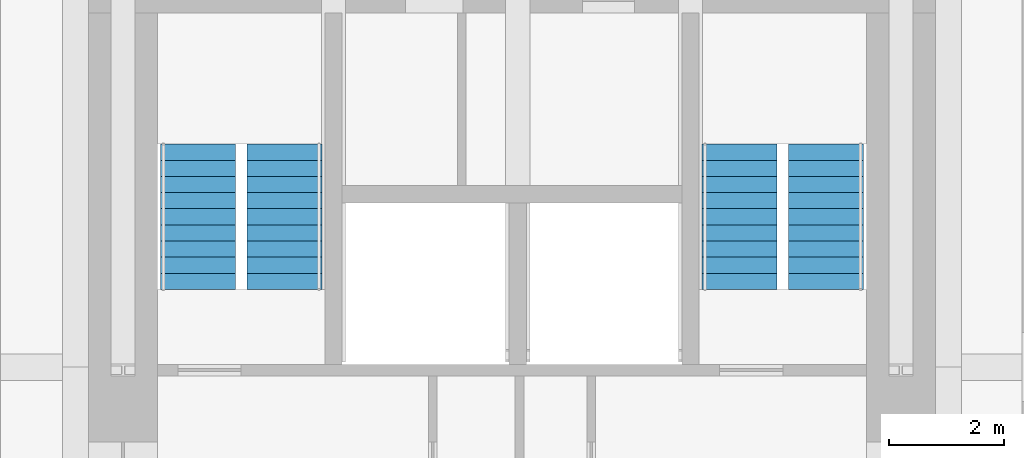
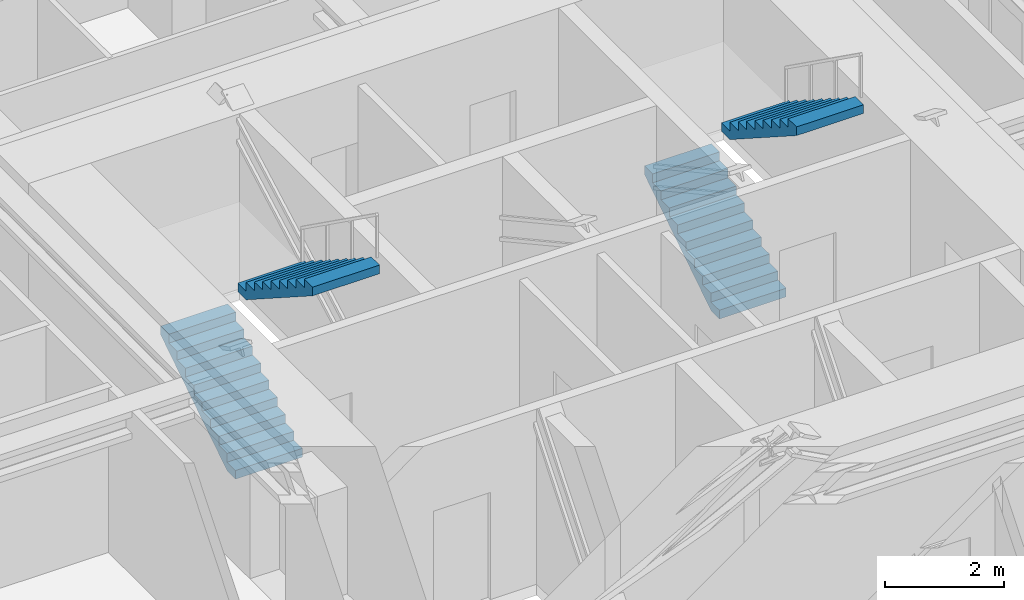
# One storey, part 11 of 12: 4 stair flights, 2 elements without a shape of their own.
"""IFC4 building model written with IfcOpenShell, lengths in metres."""

import ifcopenshell
import ifcopenshell.guid

model = None  # the IFC model being written
_history = None  # IfcOwnerHistory: only IFC2X3 demands one
_inside = {}  # id of a spatial element -> (the spatial element, [elements in it])
_under = {}  # id of a project, library or spatial element -> (it, [spatial elements below it])
_declared = {}  # id of a project -> (the project, [libraries it declares])
_typed = {}  # id of a type object -> (the type object, [elements of that type])
_made_of = {}  # id of a material, layer set ... -> (it, [elements and type objects made of it])


def new_model(schema):
    """Start an empty IFC model of exactly this schema.

    Asked for "IFC4X3", IfcOpenShell would pick the latest addendum, in which some entities
    have other attributes; the version numbers below select the first issue.
    IFC2X3 requires an IfcOwnerHistory on every rooted entity: one is made here for all.
    """
    global model, _history
    if schema == "IFC4X3":
        model = ifcopenshell.file(schema_version=(4, 3, 0, 0))
    else:
        model = ifcopenshell.file(schema=schema)
    _inside.clear()
    _under.clear()
    _declared.clear()
    _typed.clear()
    _made_of.clear()
    _history = None
    if model.schema == "IFC2X3":
        org = make("IfcOrganization", Name="unknown")
        user = make(
            "IfcPersonAndOrganization",
            ThePerson=make("IfcPerson", FamilyName="unknown"),
            TheOrganization=org,
        )
        app = make(
            "IfcApplication",
            ApplicationDeveloper=org,
            Version="unknown",
            ApplicationFullName="unknown",
            ApplicationIdentifier="unknown",
        )
        _history = make(
            "IfcOwnerHistory",
            OwningUser=user,
            OwningApplication=app,
            ChangeAction="ADDED",
            CreationDate=0,
        )
    return model


def make(cls, **values):
    """One entity of the class cls with the attributes given. An attribute that is None is left unset."""
    return model.create_entity(
        cls, **{name: value for name, value in values.items() if value is not None}
    )


def rooted(cls, **values):
    """An entity with a GlobalId (a new one), such as an element, a storey or a relation."""
    return make(cls, GlobalId=ifcopenshell.guid.new(), OwnerHistory=_history, **values)


def si_unit(unit_type, name, prefix=None):
    """IfcSIUnit, for example si_unit("LENGTHUNIT", "METRE", prefix="MILLI")."""
    return make("IfcSIUnit", UnitType=unit_type, Prefix=prefix, Name=name)


def assignment(units):
    """IfcUnitAssignment: the units of a project."""
    return None if units is None else make("IfcUnitAssignment", Units=units)


def point(xyz):
    """IfcCartesianPoint."""
    return None if xyz is None else make("IfcCartesianPoint", Coordinates=xyz)


def direction(xyz):
    """IfcDirection."""
    return None if xyz is None else make("IfcDirection", DirectionRatios=xyz)


def frame(location, z_axis=None, x_axis=None):
    """IfcAxis2Placement3D, a coordinate frame: its origin and axes. An axis left out is left unset."""
    return make(
        "IfcAxis2Placement3D",
        Location=point(location),
        Axis=direction(z_axis),
        RefDirection=direction(x_axis),
    )


def origin():
    """The frame at (0, 0, 0) with its axes left unset."""
    return frame((0.0, 0.0, 0.0))


def place(relative_to, where):
    """IfcLocalPlacement: puts the frame where relative to a parent placement (None: the world)."""
    return make(
        "IfcLocalPlacement", PlacementRelTo=relative_to, RelativePlacement=where
    )


def context(
    kind, dimensions, precision=None, world=None, true_north=None, identifier=None
):
    """IfcGeometricRepresentationContext, for example the 3D "Model" context."""
    return make(
        "IfcGeometricRepresentationContext",
        ContextIdentifier=identifier,
        ContextType=kind,
        CoordinateSpaceDimension=dimensions,
        Precision=precision,
        WorldCoordinateSystem=world,
        TrueNorth=true_north,
    )


def subcontext(parent, identifier, kind, view, scale=None):
    """IfcGeometricRepresentationSubContext, for example "Body" below "Model"."""
    return make(
        "IfcGeometricRepresentationSubContext",
        ContextIdentifier=identifier,
        ContextType=kind,
        ParentContext=parent,
        TargetScale=scale,
        TargetView=view,
    )


def project(units=None, contexts=None):
    """IfcProject with its units and contexts."""
    return rooted(
        "IfcProject",
        Name="project",
        RepresentationContexts=contexts,
        UnitsInContext=assignment(units),
    )


def spatial(cls, under=None, at=None, **own):
    """A site, building, storey or space (cls), placed at a placement, below another one or the project."""
    s = rooted(cls, ObjectPlacement=at, **own)
    if under is not None:
        _under.setdefault(under.id(), (under, []))[1].append(s)
    return s


def polyline(points):
    """IfcPolyline through the points."""
    return make("IfcPolyline", Points=[point(p) for p in points])


def outline(outer, holes=None, kind="AREA"):
    """IfcArbitraryClosedProfileDef: a profile drawn as a closed curve; with holes, ...WithVoids."""
    if holes is None:
        return make("IfcArbitraryClosedProfileDef", ProfileType=kind, OuterCurve=outer)
    return make(
        "IfcArbitraryProfileDefWithVoids",
        ProfileType=kind,
        OuterCurve=outer,
        InnerCurves=holes,
    )


def extrude(swept, where, along, depth):
    """IfcExtrudedAreaSolid: the profile swept, set in the frame where, extruded along a direction by depth."""
    return make(
        "IfcExtrudedAreaSolid",
        SweptArea=swept,
        Position=where,
        ExtrudedDirection=direction(along),
        Depth=depth,
    )


def shape(context_of_items, identifier, shape_type, items):
    """IfcShapeRepresentation: the items that make up one representation, for example the "Body"."""
    return make(
        "IfcShapeRepresentation",
        ContextOfItems=context_of_items,
        RepresentationIdentifier=identifier,
        RepresentationType=shape_type,
        Items=items,
    )


def material(Name=None, Category=None):
    """IfcMaterial."""
    return make("IfcMaterial", Name=Name, Category=Category)


def made_of(thing, what):
    """Note that an element or type object is made of a material, layer set ...; save() writes the relation."""
    if what is not None:
        _made_of.setdefault(what.id(), (what, []))[1].append(thing)
    return thing


def type_object(cls, material=None, **own):
    """A type object (cls), such as IfcWallType, which elements share."""
    return made_of(rooted(cls, **own), material)


def element(
    cls,
    number,
    at=None,
    inside=None,
    cuts=None,
    type_object=None,
    material=None,
    context=None,
    identifier="Body",
    shape_type=None,
    held_by="IfcProductDefinitionShape",
    body=None,
    shapes=None,
    **own,
):
    """One element of the class cls, such as IfcWall. Its Tag is "e" and its number.

    at: its placement. inside: the storey or other place that contains it. cuts: it is an
    opening in that element (IfcRelVoidsElement). A single representation is given by context,
    identifier, shape_type and body (its items); several are given by shapes. held_by: the class
    of the entity that holds the representations. save() writes the other relations.
    """
    e = rooted(cls, Tag="e%d" % number, ObjectPlacement=at, **own)
    if body is not None:
        shapes = [shape(context, identifier, shape_type, body)]
    if shapes is not None:
        e.Representation = make(held_by, Representations=shapes)
    if inside is not None:
        _inside.setdefault(inside.id(), (inside, []))[1].append(e)
    if cuts is not None:
        rooted(
            "IfcRelVoidsElement", RelatingBuildingElement=cuts, RelatedOpeningElement=e
        )
    if type_object is not None:
        _typed.setdefault(type_object.id(), (type_object, []))[1].append(e)
    return made_of(e, material)


def aggregate(whole, parts):
    """IfcRelAggregates: a whole, such as a stair, and the parts it consists of."""
    return rooted("IfcRelAggregates", RelatingObject=whole, RelatedObjects=parts)


def save(model, path):
    """Write the relations noted so far, then the file.

    IfcRelAggregates (storeys below a building ...), IfcRelContainedInSpatialStructure (elements
    in a storey), IfcRelDefinesByType, IfcRelAssociatesMaterial and IfcRelDeclares: one each for
    every whole, place, type object, material and project.
    """
    for whole, parts in _under.values():
        aggregate(whole, parts)
    for where, things in _inside.values():
        rooted(
            "IfcRelContainedInSpatialStructure",
            RelatedElements=things,
            RelatingStructure=where,
        )
    for kind, things in _typed.values():
        rooted("IfcRelDefinesByType", RelatedObjects=things, RelatingType=kind)
    for what, things in _made_of.values():
        rooted("IfcRelAssociatesMaterial", RelatedObjects=things, RelatingMaterial=what)
    for by, libraries in _declared.values():
        rooted("IfcRelDeclares", RelatingContext=by, RelatedDefinitions=libraries)
    model.write(path)


model = new_model("IFC4")

# Units and contexts
model_context = context("Model", 3, precision=1e-05, world=origin(), true_north=direction((0.0, 1.0)))
body_context = subcontext(model_context, "Body", "Model", "MODEL_VIEW")
ifc_project = project(units=[si_unit("LENGTHUNIT", "METRE"), si_unit("AREAUNIT", "SQUARE_METRE"), si_unit("VOLUMEUNIT", "CUBIC_METRE"), si_unit("PLANEANGLEUNIT", "RADIAN"), si_unit("MASSUNIT", "GRAM", prefix="KILO")], contexts=[model_context])

# Site, building, storey
site_placement = place(None, origin())
site = spatial("IfcSite", under=ifc_project, at=site_placement, CompositionType="ELEMENT")
building_placement = place(site_placement, origin())
building = spatial("IfcBuilding", under=site, at=building_placement, Name="Nyansa Garden Tower", CompositionType="ELEMENT")
storey_placement = place(building_placement, frame((0.0, 0.0, 112.5)))
storey = spatial("IfcBuildingStorey", under=building, at=storey_placement, Name="L30", CompositionType="ELEMENT", Elevation=112.5)

# Stair, stair flights
ifc_material_1 = material(Name="Precast concrete C40/50", Category="concrete")
stair_type_1 = type_object("IfcStairType", Name="Stair S1 180x280", PredefinedType="HALF_TURN_STAIR", material=ifc_material_1)
stair_1_placement = place(storey_placement, origin())
stair_1 = element("IfcStair", 1, at=stair_1_placement, inside=storey, type_object=stair_type_1, Name="Stair S1 L30", PredefinedType="HALF_TURN_STAIR")
ifc_material_2 = material(Name="Precast concrete C40/50", Category="concrete")
stair_flight_type_1 = type_object("IfcStairFlightType", Name="Stair flight S1 180x280x10", PredefinedType="STRAIGHT", material=ifc_material_2)
stair_flight_1_placement = place(storey_placement, frame((14.800048828125, 21.60009765625, 0.0), z_axis=(0.0, 0.0, 1.0), x_axis=(0.0, 1.0, 0.0)))
stair_flight_1 = element("IfcStairFlight", 2, at=stair_flight_1_placement, type_object=stair_flight_type_1, Name="S1 flight 1", NumberOfRisers=10, NumberOfTreads=9, PredefinedType="STRAIGHT", RiserHeight=0.18, TreadLength=0.28, context=body_context, shape_type="SweptSolid", body=[
    extrude(outline(polyline([(0.0, 0.0), (0.0, 0.179931640625), (0.280029296875, 0.179931640625), (0.280029296875, 0.360107421875), (0.56005859375, 0.360107421875), (0.56005859375, 0.5400390625), (0.840087890625, 0.5400390625), (0.840087890625, 0.719970703125), (1.1201171875, 0.719970703125), (1.1201171875, 0.89990234375), (1.39990234375, 0.89990234375), (1.39990234375, 1.080078125), (1.679931640625, 1.080078125), (1.679931640625, 1.260009765625), (1.9599609375, 1.260009765625), (1.9599609375, 1.43994140625), (2.239990234375, 1.43994140625), (2.239990234375, 1.6201171875), (2.52001953125, 1.6201171875), (2.52001953125, 1.800048828125), (2.52001953125, 1.44189453125), (0.277099609375, 0.0), (0.0, 0.0)])), frame((0.0, 0.64990234375, 0.0), z_axis=(0.0, -1.0, 0.0), x_axis=(1.0, 0.0, 0.0)), (0.0, 0.0, 1.0), 1.300048828125),
])
stair_flight_2_placement = place(storey_placement, frame((16.300048828125, 24.1201171875, 1.800048828125), z_axis=(0.0, 0.0, 1.0), x_axis=(0.0, -1.0, 0.0)))
stair_flight_2 = element("IfcStairFlight", 3, at=stair_flight_2_placement, type_object=stair_flight_type_1, Name="S1 flight 2", NumberOfRisers=10, NumberOfTreads=9, PredefinedType="STRAIGHT", RiserHeight=0.18, TreadLength=0.28, context=body_context, shape_type="SweptSolid", body=[
    extrude(outline(polyline([(0.0, 0.0), (0.0, 0.179931640625), (0.280029296875, 0.179931640625), (0.280029296875, 0.360107421875), (0.56005859375, 0.360107421875), (0.56005859375, 0.5400390625), (0.840087890625, 0.5400390625), (0.840087890625, 0.719970703125), (1.1201171875, 0.719970703125), (1.1201171875, 0.89990234375), (1.39990234375, 0.89990234375), (1.39990234375, 1.080078125), (1.679931640625, 1.080078125), (1.679931640625, 1.260009765625), (1.9599609375, 1.260009765625), (1.9599609375, 1.43994140625), (2.239990234375, 1.43994140625), (2.239990234375, 1.6201171875), (2.52001953125, 1.6201171875), (2.52001953125, 1.800048828125), (2.52001953125, 1.44189453125), (0.277099609375, 0.0), (0.0, 0.0)])), frame((0.0, 0.64990234375, 0.0), z_axis=(0.0, -1.0, 0.0), x_axis=(1.0, 0.0, 0.0)), (0.0, 0.0, 1.0), 1.300048828125),
])
aggregate(stair_1, [stair_flight_1, stair_flight_2])

ifc_material_3 = material(Name="Precast concrete C40/50", Category="concrete")
stair_type_2 = type_object("IfcStairType", Name="Stair S2 180x280", PredefinedType="HALF_TURN_STAIR", material=ifc_material_3)
stair_2_placement = place(storey_placement, origin())
stair_2 = element("IfcStair", 4, at=stair_2_placement, inside=storey, type_object=stair_type_2, Name="Stair S2 L30", PredefinedType="HALF_TURN_STAIR")
ifc_material_4 = material(Name="Precast concrete C40/50", Category="concrete")
stair_flight_type_2 = type_object("IfcStairFlightType", Name="Stair flight S2 180x280x10", PredefinedType="STRAIGHT", material=ifc_material_4)
stair_flight_3_placement = place(storey_placement, frame((24.199951171875, 21.60009765625, 0.0), z_axis=(0.0, 0.0, 1.0), x_axis=(0.0, 1.0, 0.0)))
stair_flight_3 = element("IfcStairFlight", 5, at=stair_flight_3_placement, type_object=stair_flight_type_2, Name="S2 flight 1", NumberOfRisers=10, NumberOfTreads=9, PredefinedType="STRAIGHT", RiserHeight=0.18, TreadLength=0.28, context=body_context, shape_type="SweptSolid", body=[
    extrude(outline(polyline([(0.0, 0.0), (0.0, 0.179931640625), (0.280029296875, 0.179931640625), (0.280029296875, 0.360107421875), (0.56005859375, 0.360107421875), (0.56005859375, 0.5400390625), (0.840087890625, 0.5400390625), (0.840087890625, 0.719970703125), (1.1201171875, 0.719970703125), (1.1201171875, 0.89990234375), (1.39990234375, 0.89990234375), (1.39990234375, 1.080078125), (1.679931640625, 1.080078125), (1.679931640625, 1.260009765625), (1.9599609375, 1.260009765625), (1.9599609375, 1.43994140625), (2.239990234375, 1.43994140625), (2.239990234375, 1.6201171875), (2.52001953125, 1.6201171875), (2.52001953125, 1.800048828125), (2.52001953125, 1.44189453125), (0.277099609375, 0.0), (0.0, 0.0)])), frame((0.0, 0.64990234375, 0.0), z_axis=(0.0, -1.0, 0.0), x_axis=(1.0, 0.0, 0.0)), (0.0, 0.0, 1.0), 1.300048828125),
])
stair_flight_4_placement = place(storey_placement, frame((25.699951171875, 24.1201171875, 1.800048828125), z_axis=(0.0, 0.0, 1.0), x_axis=(0.0, -1.0, 0.0)))
stair_flight_4 = element("IfcStairFlight", 6, at=stair_flight_4_placement, type_object=stair_flight_type_2, Name="S2 flight 2", NumberOfRisers=10, NumberOfTreads=9, PredefinedType="STRAIGHT", RiserHeight=0.18, TreadLength=0.28, context=body_context, shape_type="SweptSolid", body=[
    extrude(outline(polyline([(0.0, 0.0), (0.0, 0.179931640625), (0.280029296875, 0.179931640625), (0.280029296875, 0.360107421875), (0.56005859375, 0.360107421875), (0.56005859375, 0.5400390625), (0.840087890625, 0.5400390625), (0.840087890625, 0.719970703125), (1.1201171875, 0.719970703125), (1.1201171875, 0.89990234375), (1.39990234375, 0.89990234375), (1.39990234375, 1.080078125), (1.679931640625, 1.080078125), (1.679931640625, 1.260009765625), (1.9599609375, 1.260009765625), (1.9599609375, 1.43994140625), (2.239990234375, 1.43994140625), (2.239990234375, 1.6201171875), (2.52001953125, 1.6201171875), (2.52001953125, 1.800048828125), (2.52001953125, 1.44189453125), (0.277099609375, 0.0), (0.0, 0.0)])), frame((0.0, 0.64990234375, 0.0), z_axis=(0.0, -1.0, 0.0), x_axis=(1.0, 0.0, 0.0)), (0.0, 0.0, 1.0), 1.300048828125),
])
aggregate(stair_2, [stair_flight_3, stair_flight_4])

save(model, "model.ifc")
